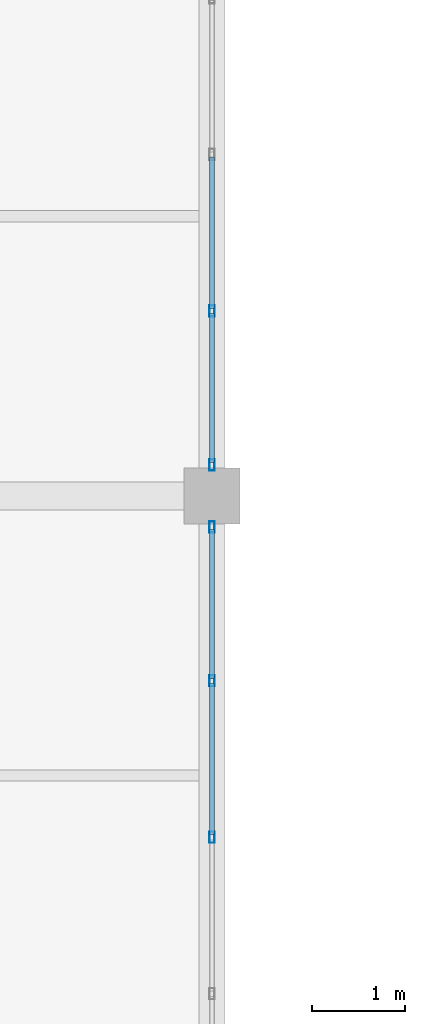
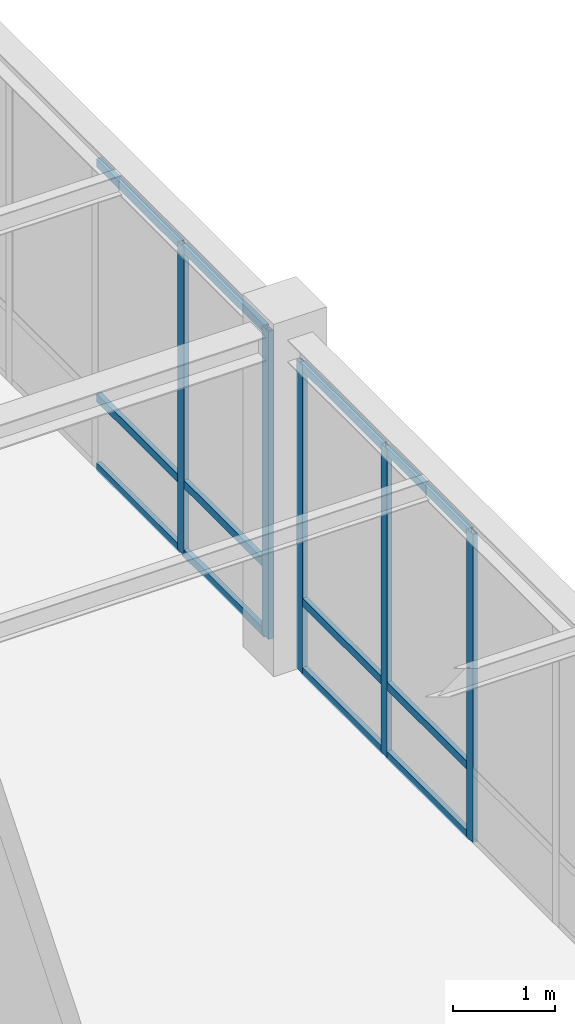
# One storey, part 32 of 97: 17 members, 2 elements without a shape of their own.
"""IFC4 building model written with IfcOpenShell, lengths in metres."""

from ifc_helpers import new_model, si_unit, direction, frame, origin, origin_2d, place, context, subcontext, project, spatial, hollow_rectangle, extrude, material, material_profile, profile_set, type_object, element, aggregate, save


model = new_model("IFC4")

# Units and contexts
model_context = context("Model", 3, precision=1e-05, world=origin(), true_north=direction((0.0, 1.0)))
body_context = subcontext(model_context, "Body", "Model", "MODEL_VIEW")
ifc_project = project(units=[si_unit("LENGTHUNIT", "METRE"), si_unit("AREAUNIT", "SQUARE_METRE"), si_unit("VOLUMEUNIT", "CUBIC_METRE"), si_unit("PLANEANGLEUNIT", "RADIAN"), si_unit("MASSUNIT", "GRAM", prefix="KILO")], contexts=[model_context])

# Site, building, storey
site_placement = place(None, origin())
site = spatial("IfcSite", under=ifc_project, at=site_placement, CompositionType="ELEMENT")
building_placement = place(site_placement, origin())
building = spatial("IfcBuilding", under=site, at=building_placement, Name="Lykobir Media Centre", CompositionType="ELEMENT")
storey_placement = place(building_placement, frame((0.0, 0.0, 23.39990234375)))
storey = spatial("IfcBuildingStorey", under=building, at=storey_placement, Name="L05", CompositionType="ELEMENT", Elevation=23.39990234375)

# Curtain wall, members
ifc_material = material(Name="Anodized Aluminium AW-6060", Category="aluminium")
curtain_wall_type = type_object("IfcCurtainWallType", Name="CW-COURT-B", PredefinedType="NOTDEFINED", material=ifc_material)
curtain_wall_1_placement = place(storey_placement, origin())
curtain_wall_1 = element("IfcCurtainWall", 1, at=curtain_wall_1_placement, inside=storey, type_object=curtain_wall_type, Name="Curtain wall CW2-L05-0195", PredefinedType="NOTDEFINED")
ifc_material_profile_1 = material_profile(ifc_material, hollow_rectangle(XDim=0.054931640625, YDim=0.1201171875, WallThickness=0.003173828125, at=origin_2d()), Name="ALU MULLION 55x120")
ifc_profile_set_1 = profile_set([ifc_material_profile_1], Name="Anodized Aluminium AW-6060")
member_type_1 = type_object("IfcMemberType", Name="CWM-120", PredefinedType="MULLION", material=ifc_profile_set_1)
member_1_placement = place(storey_placement, frame((36.0, 35.66748046875, 0.0), z_axis=(0.0, 0.0, 1.0), x_axis=(1.0, 0.0, 0.0)))
member_1 = element("IfcMember", 2, at=member_1_placement, type_object=member_type_1, Name="CW2-L05-0195 mullion 1", PredefinedType="MULLION", context=body_context, shape_type="SweptSolid", body=[
    extrude(hollow_rectangle(XDim=0.054931640625, YDim=0.1201171875, WallThickness=0.003173828125, at=origin_2d()), origin(), (0.0, 0.0, 1.0), 3.675048828125),
])
member_2_placement = place(storey_placement, frame((36.0, 34.01708984375, 0.0), z_axis=(0.0, 0.0, 1.0), x_axis=(1.0, 0.0, 0.0)))
member_2 = element("IfcMember", 3, at=member_2_placement, type_object=member_type_1, Name="CW2-L05-0195 mullion 2", PredefinedType="MULLION", context=body_context, shape_type="SweptSolid", body=[
    extrude(hollow_rectangle(XDim=0.054931640625, YDim=0.1201171875, WallThickness=0.003173828125, at=origin_2d()), origin(), (0.0, 0.0, 1.0), 3.675048828125),
])
member_3_placement = place(storey_placement, frame((36.0, 32.339111328125, 0.0), z_axis=(0.0, 0.0, 1.0), x_axis=(1.0, 0.0, 0.0)))
member_3 = element("IfcMember", 4, at=member_3_placement, type_object=member_type_1, Name="CW2-L05-0195 mullion 3", PredefinedType="MULLION", context=body_context, shape_type="SweptSolid", body=[
    extrude(hollow_rectangle(XDim=0.054931640625, YDim=0.1201171875, WallThickness=0.003173828125, at=origin_2d()), origin(), (0.0, 0.0, 1.0), 3.675048828125),
])

curtain_wall_2_placement = place(storey_placement, origin())
curtain_wall_2 = element("IfcCurtainWall", 5, at=curtain_wall_2_placement, inside=storey, type_object=curtain_wall_type, Name="Curtain wall CW2-L05-0196", PredefinedType="NOTDEFINED")
member_4_placement = place(storey_placement, frame((36.0, 37.98291015625, 0.0), z_axis=(0.0, 0.0, 1.0), x_axis=(1.0, 0.0, 0.0)))
member_4 = element("IfcMember", 6, at=member_4_placement, type_object=member_type_1, Name="CW2-L05-0196 mullion 5", PredefinedType="MULLION", context=body_context, shape_type="SweptSolid", body=[
    extrude(hollow_rectangle(XDim=0.054931640625, YDim=0.1201171875, WallThickness=0.003173828125, at=origin_2d()), origin(), (0.0, 0.0, 1.0), 3.675048828125),
])
member_5_placement = place(storey_placement, frame((36.0, 36.33251953125, 0.0), z_axis=(0.0, 0.0, 1.0), x_axis=(1.0, 0.0, 0.0)))
member_5 = element("IfcMember", 7, at=member_5_placement, type_object=member_type_1, Name="CW2-L05-0196 mullion 6", PredefinedType="MULLION", context=body_context, shape_type="SweptSolid", body=[
    extrude(hollow_rectangle(XDim=0.054931640625, YDim=0.1201171875, WallThickness=0.003173828125, at=origin_2d()), origin(), (0.0, 0.0, 1.0), 3.675048828125),
])

# Member
ifc_material_profile_2 = material_profile(ifc_material, hollow_rectangle(XDim=0.054931640625, YDim=0.094970703125, WallThickness=0.0029296875, at=origin_2d()), Name="ALU TRANSOM 55x95")
ifc_profile_set_2 = profile_set([ifc_material_profile_2], Name="Anodized Aluminium AW-6060")
member_type_2 = type_object("IfcMemberType", Name="CWT-095", PredefinedType="USERDEFINED", material=ifc_profile_set_2)
member_6_placement = place(storey_placement, frame((36.0, 35.639892578125, 0.027587890625), z_axis=(0.0, -1.0, 0.0), x_axis=(1.0, 0.0, 0.0)))
member_6 = element("IfcMember", 8, at=member_6_placement, type_object=member_type_2, Name="CW2-L05-0195 transom 1.1", ObjectType="TRANSOM", PredefinedType="USERDEFINED", context=body_context, shape_type="SweptSolid", body=[
    extrude(hollow_rectangle(XDim=0.054931640625, YDim=0.094970703125, WallThickness=0.0029296875, at=origin_2d()), origin(), (0.0, 0.0, 1.0), 1.595458984375),
])

member_7_placement = place(storey_placement, frame((36.0, 35.639892578125, 0.85009765625), z_axis=(0.0, -1.0, 0.0), x_axis=(1.0, 0.0, 0.0)))
member_7 = element("IfcMember", 9, at=member_7_placement, type_object=member_type_2, Name="CW2-L05-0195 transom 1.2", ObjectType="TRANSOM", PredefinedType="USERDEFINED", context=body_context, shape_type="SweptSolid", body=[
    extrude(hollow_rectangle(XDim=0.054931640625, YDim=0.094970703125, WallThickness=0.0029296875, at=origin_2d()), origin(), (0.0, 0.0, 1.0), 1.595458984375),
])

member_8_placement = place(storey_placement, frame((36.0, 35.639892578125, 3.647705078125), z_axis=(0.0, -1.0, 0.0), x_axis=(1.0, 0.0, 0.0)))
member_8 = element("IfcMember", 10, at=member_8_placement, type_object=member_type_2, Name="CW2-L05-0195 transom 1.3", ObjectType="TRANSOM", PredefinedType="USERDEFINED", context=body_context, shape_type="SweptSolid", body=[
    extrude(hollow_rectangle(XDim=0.054931640625, YDim=0.094970703125, WallThickness=0.0029296875, at=origin_2d()), origin(), (0.0, 0.0, 1.0), 1.595458984375),
])

member_9_placement = place(storey_placement, frame((36.0, 33.989501953125, 0.027587890625), z_axis=(0.0, -1.0, 0.0), x_axis=(1.0, 0.0, 0.0)))
member_9 = element("IfcMember", 11, at=member_9_placement, type_object=member_type_2, Name="CW2-L05-0195 transom 2.1", ObjectType="TRANSOM", PredefinedType="USERDEFINED", context=body_context, shape_type="SweptSolid", body=[
    extrude(hollow_rectangle(XDim=0.054931640625, YDim=0.094970703125, WallThickness=0.0029296875, at=origin_2d()), origin(), (0.0, 0.0, 1.0), 1.623046875),
])

member_10_placement = place(storey_placement, frame((36.0, 33.989501953125, 0.85009765625), z_axis=(0.0, -1.0, 0.0), x_axis=(1.0, 0.0, 0.0)))
member_10 = element("IfcMember", 12, at=member_10_placement, type_object=member_type_2, Name="CW2-L05-0195 transom 2.2", ObjectType="TRANSOM", PredefinedType="USERDEFINED", context=body_context, shape_type="SweptSolid", body=[
    extrude(hollow_rectangle(XDim=0.054931640625, YDim=0.094970703125, WallThickness=0.0029296875, at=origin_2d()), origin(), (0.0, 0.0, 1.0), 1.623046875),
])

member_11_placement = place(storey_placement, frame((36.0, 33.989501953125, 3.647705078125), z_axis=(0.0, -1.0, 0.0), x_axis=(1.0, 0.0, 0.0)))
member_11 = element("IfcMember", 13, at=member_11_placement, type_object=member_type_2, Name="CW2-L05-0195 transom 2.3", ObjectType="TRANSOM", PredefinedType="USERDEFINED", context=body_context, shape_type="SweptSolid", body=[
    extrude(hollow_rectangle(XDim=0.054931640625, YDim=0.094970703125, WallThickness=0.0029296875, at=origin_2d()), origin(), (0.0, 0.0, 1.0), 1.623046875),
])

aggregate(curtain_wall_1, [member_1, member_2, member_3, member_6, member_7, member_8, member_9, member_10, member_11])

member_12_placement = place(storey_placement, frame((36.0, 39.633544921875, 0.027587890625), z_axis=(0.0, -1.0, 0.0), x_axis=(1.0, 0.0, 0.0)))
member_12 = element("IfcMember", 14, at=member_12_placement, type_object=member_type_2, Name="CW2-L05-0196 transom 4.1", ObjectType="TRANSOM", PredefinedType="USERDEFINED", context=body_context, shape_type="SweptSolid", body=[
    extrude(hollow_rectangle(XDim=0.054931640625, YDim=0.094970703125, WallThickness=0.0029296875, at=origin_2d()), origin(), (0.0, 0.0, 1.0), 1.623046875),
])

member_13_placement = place(storey_placement, frame((36.0, 39.633544921875, 0.85009765625), z_axis=(0.0, -1.0, 0.0), x_axis=(1.0, 0.0, 0.0)))
member_13 = element("IfcMember", 15, at=member_13_placement, type_object=member_type_2, Name="CW2-L05-0196 transom 4.2", ObjectType="TRANSOM", PredefinedType="USERDEFINED", context=body_context, shape_type="SweptSolid", body=[
    extrude(hollow_rectangle(XDim=0.054931640625, YDim=0.094970703125, WallThickness=0.0029296875, at=origin_2d()), origin(), (0.0, 0.0, 1.0), 1.623046875),
])

member_14_placement = place(storey_placement, frame((36.0, 39.633544921875, 3.647705078125), z_axis=(0.0, -1.0, 0.0), x_axis=(1.0, 0.0, 0.0)))
member_14 = element("IfcMember", 16, at=member_14_placement, type_object=member_type_2, Name="CW2-L05-0196 transom 4.3", ObjectType="TRANSOM", PredefinedType="USERDEFINED", context=body_context, shape_type="SweptSolid", body=[
    extrude(hollow_rectangle(XDim=0.054931640625, YDim=0.094970703125, WallThickness=0.0029296875, at=origin_2d()), origin(), (0.0, 0.0, 1.0), 1.623046875),
])

member_15_placement = place(storey_placement, frame((36.0, 37.95556640625, 0.027587890625), z_axis=(0.0, -1.0, 0.0), x_axis=(1.0, 0.0, 0.0)))
member_15 = element("IfcMember", 17, at=member_15_placement, type_object=member_type_2, Name="CW2-L05-0196 transom 5.1", ObjectType="TRANSOM", PredefinedType="USERDEFINED", context=body_context, shape_type="SweptSolid", body=[
    extrude(hollow_rectangle(XDim=0.054931640625, YDim=0.094970703125, WallThickness=0.0029296875, at=origin_2d()), origin(), (0.0, 0.0, 1.0), 1.595458984375),
])

member_16_placement = place(storey_placement, frame((36.0, 37.95556640625, 0.85009765625), z_axis=(0.0, -1.0, 0.0), x_axis=(1.0, 0.0, 0.0)))
member_16 = element("IfcMember", 18, at=member_16_placement, type_object=member_type_2, Name="CW2-L05-0196 transom 5.2", ObjectType="TRANSOM", PredefinedType="USERDEFINED", context=body_context, shape_type="SweptSolid", body=[
    extrude(hollow_rectangle(XDim=0.054931640625, YDim=0.094970703125, WallThickness=0.0029296875, at=origin_2d()), origin(), (0.0, 0.0, 1.0), 1.595458984375),
])

member_17_placement = place(storey_placement, frame((36.0, 37.95556640625, 3.647705078125), z_axis=(0.0, -1.0, 0.0), x_axis=(1.0, 0.0, 0.0)))
member_17 = element("IfcMember", 19, at=member_17_placement, type_object=member_type_2, Name="CW2-L05-0196 transom 5.3", ObjectType="TRANSOM", PredefinedType="USERDEFINED", context=body_context, shape_type="SweptSolid", body=[
    extrude(hollow_rectangle(XDim=0.054931640625, YDim=0.094970703125, WallThickness=0.0029296875, at=origin_2d()), origin(), (0.0, 0.0, 1.0), 1.595458984375),
])

aggregate(curtain_wall_2, [member_4, member_5, member_12, member_13, member_14, member_15, member_16, member_17])

save(model, "model.ifc")
